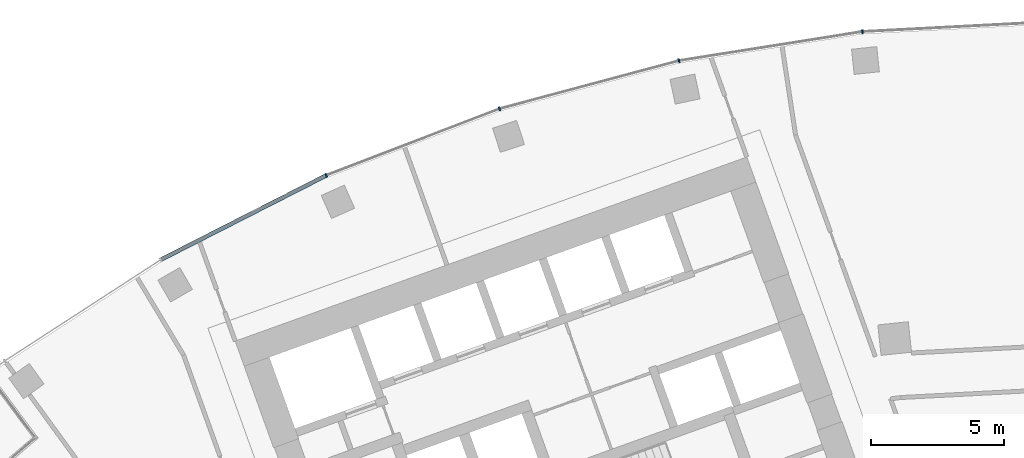
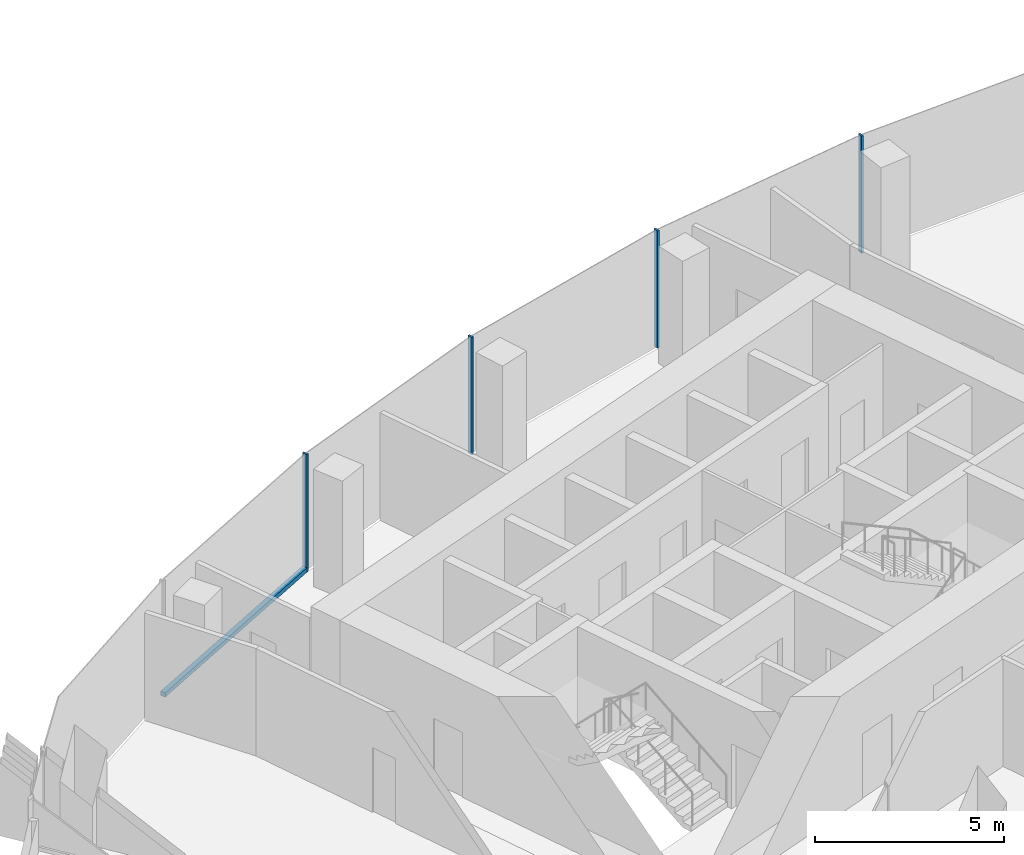
# One storey, part 5 of 20: 5 members, 1 element without a shape of its own.
"""IFC4 building model written with IfcOpenShell, lengths in metres."""

from ifc_helpers import new_model, si_unit, direction, frame, origin, origin_2d, place, context, subcontext, project, spatial, rectangle, extrude, material, layer, layer_set, material_profile, profile_set, type_object, element, aggregate, save


model = new_model("IFC4")

# Units and contexts
model_context = context("Model", 3, precision=1e-05, world=origin(), true_north=direction((0.0, 1.0)))
body_context = subcontext(model_context, "Body", "Model", "MODEL_VIEW")
ifc_project = project(units=[si_unit("LENGTHUNIT", "METRE"), si_unit("AREAUNIT", "SQUARE_METRE"), si_unit("VOLUMEUNIT", "CUBIC_METRE"), si_unit("PLANEANGLEUNIT", "RADIAN"), si_unit("MASSUNIT", "GRAM", prefix="KILO")], contexts=[model_context])

# Site, building, storey
site_placement = place(None, origin())
site = spatial("IfcSite", under=ifc_project, at=site_placement, CompositionType="ELEMENT")
building_placement = place(site_placement, origin())
building = spatial("IfcBuilding", under=site, at=building_placement, Name="Stone Belt Terrace Tower", CompositionType="ELEMENT")
storey_placement = place(building_placement, frame((0.0, 0.0, 216.199951171875)))
storey = spatial("IfcBuildingStorey", under=building, at=storey_placement, Name="L52", CompositionType="ELEMENT", Elevation=216.199951171875)

# Curtain wall, members
ifc_material = material(Name="Aluminium 6063-T6 anodised frame", Category="aluminium")
ifc_layer = layer(ifc_material, 0.14990234375)
ifc_layer_set = layer_set([ifc_layer], Name="CW-A unitised convex-face curtain wall")
curtain_wall_type = type_object("IfcCurtainWallType", Name="CW-A unitised convex-face curtain wall", PredefinedType="NOTDEFINED", material=ifc_layer_set)
curtain_wall_placement = place(storey_placement, origin())
curtain_wall = element("IfcCurtainWall", 1, at=curtain_wall_placement, inside=storey, type_object=curtain_wall_type, Name="CW-A convex face L52", PredefinedType="NOTDEFINED")
ifc_material_profile_1 = material_profile(ifc_material, rectangle(XDim=0.14990234375, YDim=0.06005859375, at=origin_2d()), Name="Aluminium 6063-T6 60x150")
ifc_profile_set_1 = profile_set([ifc_material_profile_1], Name="Aluminium 6063-T6 anodised frame")
member_type_1 = type_object("IfcMemberType", Name="CW-A mullion 60 x 150", PredefinedType="MULLION", material=ifc_profile_set_1)
member_1_placement = place(storey_placement, frame((-6.958984375, 66.21044921875, 0.0), z_axis=(0.0, 0.0, 1.0), x_axis=(0.104528463268, -0.994521895368, 0.0)))
member_1 = element("IfcMember", 2, at=member_1_placement, type_object=member_type_1, Name="CW-A mullion 10", PredefinedType="MULLION", context=body_context, shape_type="SweptSolid", body=[
    extrude(rectangle(XDim=0.14990234375, YDim=0.06005859375, at=origin_2d()), origin(), (0.0, 0.0, 1.0), 3.800048828125),
])
member_2_placement = place(storey_placement, frame((-13.841796875, 65.120361328125, 0.0), z_axis=(0.0, 0.0, 1.0), x_axis=(0.207911690818, -0.978147600734, 0.0)))
member_2 = element("IfcMember", 3, at=member_2_placement, type_object=member_type_1, Name="CW-A mullion 11", PredefinedType="MULLION", context=body_context, shape_type="SweptSolid", body=[
    extrude(rectangle(XDim=0.14990234375, YDim=0.06005859375, at=origin_2d()), origin(), (0.0, 0.0, 1.0), 3.800048828125),
])
member_3_placement = place(storey_placement, frame((-20.57275390625, 63.316650390625, 0.0), z_axis=(0.0, 0.0, 1.0), x_axis=(0.309016994375, -0.951056516295, 0.0)))
member_3 = element("IfcMember", 4, at=member_3_placement, type_object=member_type_1, Name="CW-A mullion 12", PredefinedType="MULLION", context=body_context, shape_type="SweptSolid", body=[
    extrude(rectangle(XDim=0.14990234375, YDim=0.06005859375, at=origin_2d()), origin(), (0.0, 0.0, 1.0), 3.800048828125),
])
member_4_placement = place(storey_placement, frame((-27.07861328125, 60.8193359375, 0.0), z_axis=(0.0, 0.0, 1.0), x_axis=(0.406736643076, -0.913545457643, 0.0)))
member_4 = element("IfcMember", 5, at=member_4_placement, type_object=member_type_1, Name="CW-A mullion 13", PredefinedType="MULLION", context=body_context, shape_type="SweptSolid", body=[
    extrude(rectangle(XDim=0.14990234375, YDim=0.06005859375, at=origin_2d()), origin(), (0.0, 0.0, 1.0), 3.800048828125),
])
ifc_material_profile_2 = material_profile(ifc_material, rectangle(XDim=0.14990234375, YDim=0.139892578125, at=origin_2d()), Name="Aluminium 6063-T6 150x140")
ifc_profile_set_2 = profile_set([ifc_material_profile_2], Name="Aluminium 6063-T6 anodised frame")
member_type_2 = type_object("IfcMemberType", Name="CW-A transom 140 x 150", PredefinedType="USERDEFINED", material=ifc_profile_set_2)
member_5_placement = place(storey_placement, frame((-27.108642578125, 60.803955078125, 0.070068359375), z_axis=(-0.891012226264, -0.453979308613, 0.0), x_axis=(0.453979308613, -0.891012226264, 0.0)))
member_5 = element("IfcMember", 6, at=member_5_placement, type_object=member_type_2, Name="CW-A transom 13.1", ObjectType="TRANSOM", PredefinedType="USERDEFINED", context=body_context, shape_type="SweptSolid", body=[
    extrude(rectangle(XDim=0.14990234375, YDim=0.139892578125, at=origin_2d()), origin(), (0.0, 0.0, 1.0), 6.90087890625),
])
aggregate(curtain_wall, [member_1, member_2, member_3, member_4, member_5])

save(model, "model.ifc")
